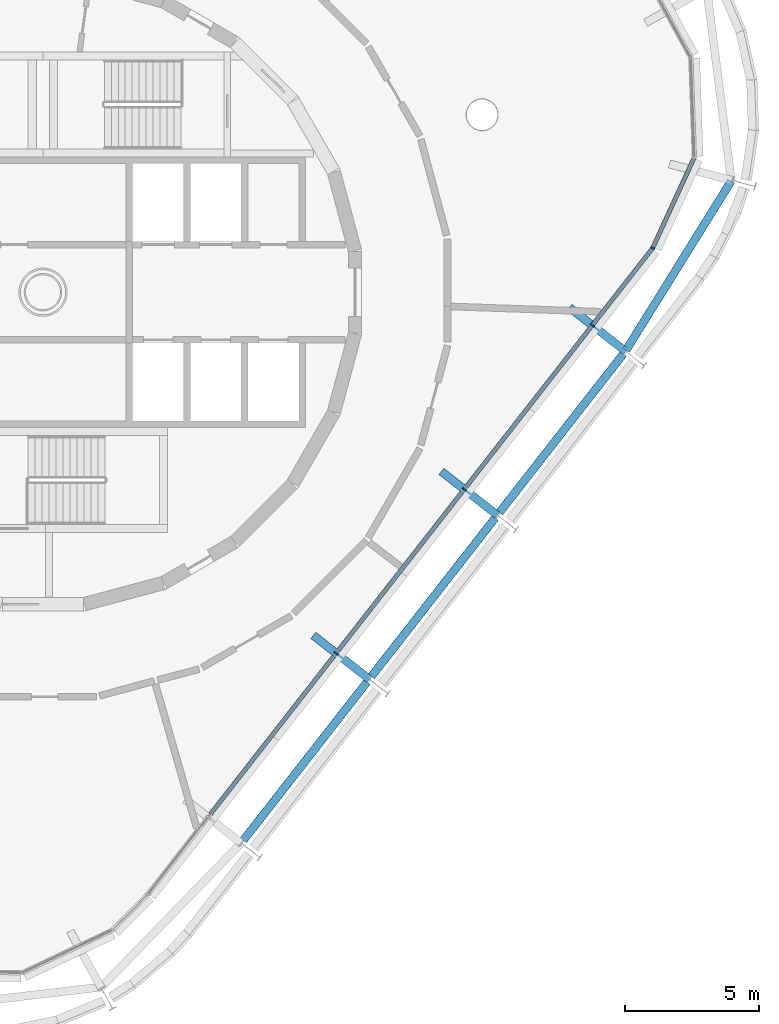
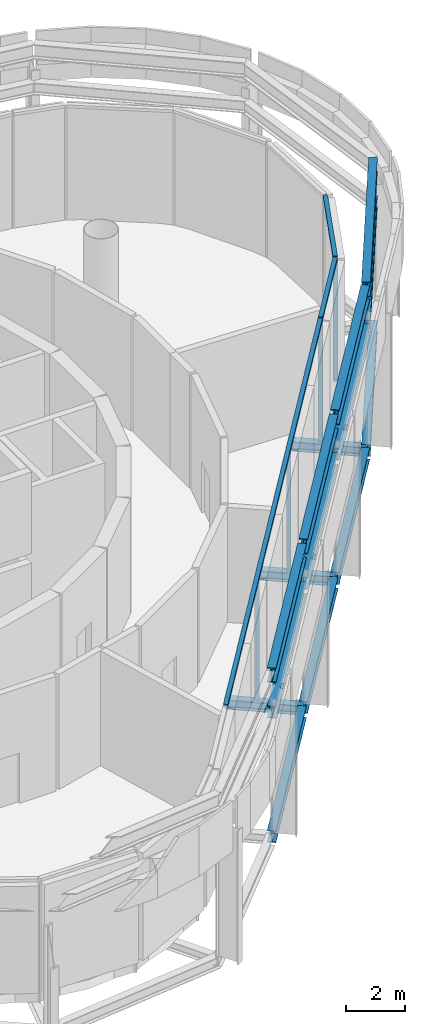
# One storey, part 4 of 15: 15 beams, 7 members, 2 elements without a shape of their own.
"""IFC4 building model written with IfcOpenShell, lengths in metres."""

from ifc_helpers import new_model, si_unit, direction, frame, origin, origin_2d, place, context, subcontext, project, spatial, rectangle, i_section, extrude, material, layer, layer_set, material_profile, profile_set, type_object, element, aggregate, save


model = new_model("IFC4")

# Units and contexts
model_context = context("Model", 3, precision=1e-05, world=origin(), true_north=direction((0.0, 1.0)))
body_context = subcontext(model_context, "Body", "Model", "MODEL_VIEW")
ifc_project = project(units=[si_unit("LENGTHUNIT", "METRE"), si_unit("AREAUNIT", "SQUARE_METRE"), si_unit("VOLUMEUNIT", "CUBIC_METRE"), si_unit("PLANEANGLEUNIT", "RADIAN"), si_unit("MASSUNIT", "GRAM", prefix="KILO")], contexts=[model_context])

# Site, building, storey
site_placement = place(None, origin())
site = spatial("IfcSite", under=ifc_project, at=site_placement, CompositionType="ELEMENT")
building_placement = place(site_placement, origin())
building = spatial("IfcBuilding", under=site, at=building_placement, Name="Spindle Arch Residences", CompositionType="ELEMENT")
storey_placement = place(building_placement, frame((0.0, 0.0, 366.199951171875)))
storey = spatial("IfcBuildingStorey", under=building, at=storey_placement, Name="L94", CompositionType="ELEMENT", Elevation=366.199951171875)

# Curtain wall, members
ifc_material_1 = material(Name="Aluminium bronze unitised frame with tinted glass", Category="aluminium")
ifc_layer = layer(ifc_material_1, 0.159912109375)
ifc_layer_set = layer_set([ifc_layer], Name="CW-F crown plant glazed wall")
curtain_wall_type = type_object("IfcCurtainWallType", Name="CW-F crown plant glazed wall", PredefinedType="NOTDEFINED", material=ifc_layer_set)
curtain_wall_1_placement = place(storey_placement, origin())
curtain_wall_1 = element("IfcCurtainWall", 1, at=curtain_wall_1_placement, inside=storey, type_object=curtain_wall_type, Name="CW-F L94 run 1", PredefinedType="NOTDEFINED")
ifc_material_2 = material(Name="Aluminium bronze anodised mullion", Category="aluminium")
ifc_material_profile_1 = material_profile(ifc_material_2, rectangle(XDim=0.159912109375, YDim=0.06005859375, at=origin_2d()), Name="MU 60x160")
ifc_profile_set_1 = profile_set([ifc_material_profile_1], Name="Aluminium bronze anodised mullion")
member_type_1 = type_object("IfcMemberType", Name="Bronze mullion 60x160", PredefinedType="MULLION", material=ifc_profile_set_1)
member_1_placement = place(storey_placement, frame((20.50341796875, -1.237060546875, -0.3798828125), z_axis=(0.0, 0.0, 1.0), x_axis=(-0.788010753607, 0.615661475326, 0.0)))
member_1 = element("IfcMember", 2, at=member_1_placement, type_object=member_type_1, Name="CW-F mullion 00", PredefinedType="MULLION", context=body_context, shape_type="SweptSolid", body=[
    extrude(rectangle(XDim=0.159912109375, YDim=0.06005859375, at=origin_2d()), origin(), (0.0, 0.0, 1.0), 5.059814453125),
])
member_2_placement = place(storey_placement, frame((22.7568359375, 1.647216796875, -0.3798828125), z_axis=(0.0, 0.0, 1.0), x_axis=(-0.908751129947, 0.417338452362, 0.0)))
member_2 = element("IfcMember", 3, at=member_2_placement, type_object=member_type_1, Name="CW-F mullion 01", PredefinedType="MULLION", context=body_context, shape_type="SweptSolid", body=[
    extrude(rectangle(XDim=0.159912109375, YDim=0.06005859375, at=origin_2d()), origin(), (0.0, 0.0, 1.0), 5.059814453125),
])

curtain_wall_2_placement = place(storey_placement, origin())
curtain_wall_2 = element("IfcCurtainWall", 4, at=curtain_wall_2_placement, inside=storey, type_object=curtain_wall_type, Name="CW-F L94 run 6", PredefinedType="NOTDEFINED")
member_3_placement = place(storey_placement, frame((10.94140625, -13.4755859375, -0.3798828125), z_axis=(0.0, 0.0, 1.0), x_axis=(-0.788010753607, 0.615661475326, 0.0)))
member_3 = element("IfcMember", 5, at=member_3_placement, type_object=member_type_1, Name="CW-F mullion 19", PredefinedType="MULLION", context=body_context, shape_type="SweptSolid", body=[
    extrude(rectangle(XDim=0.159912109375, YDim=0.06005859375, at=origin_2d()), origin(), (0.0, 0.0, 1.0), 5.059814453125),
])
member_4_placement = place(storey_placement, frame((15.722412109375, -7.3564453125, -0.3798828125), z_axis=(0.0, 0.0, 1.0), x_axis=(-0.788010753607, 0.615661475326, 0.0)))
member_4 = element("IfcMember", 6, at=member_4_placement, type_object=member_type_1, Name="CW-F mullion 00", PredefinedType="MULLION", context=body_context, shape_type="SweptSolid", body=[
    extrude(rectangle(XDim=0.159912109375, YDim=0.06005859375, at=origin_2d()), origin(), (0.0, 0.0, 1.0), 5.059814453125),
])

# Member
ifc_material_3 = material(Name="Aluminium bronze anodised transom", Category="aluminium")
ifc_material_profile_2 = material_profile(ifc_material_3, rectangle(XDim=0.159912109375, YDim=0.1201171875, at=origin_2d()), Name="TR 120x160")
ifc_profile_set_2 = profile_set([ifc_material_profile_2], Name="Aluminium bronze anodised transom")
member_type_2 = type_object("IfcMemberType", Name="Bronze transom 120x160", PredefinedType="USERDEFINED", material=ifc_profile_set_2)
member_5_placement = place(storey_placement, frame((20.521728515625, -1.21337890625, 4.739990234375), z_axis=(0.615647989673, 0.788021289568, 0.0), x_axis=(-0.788021289568, 0.615647989673, 0.0)))
member_5 = element("IfcMember", 7, at=member_5_placement, type_object=member_type_2, Name="CW-F transom 00", ObjectType="TRANSOM", PredefinedType="USERDEFINED", context=body_context, shape_type="SweptSolid", body=[
    extrude(rectangle(XDim=0.159912109375, YDim=0.1201171875, at=origin_2d()), origin(), (0.0, 0.0, 1.0), 3.600341796875),
])

member_6_placement = place(storey_placement, frame((22.769287109375, 1.674560546875, 4.739990234375), z_axis=(0.417326323855, 0.908756699792, 0.0), x_axis=(-0.908756699792, 0.417326323855, 0.0)))
member_6 = element("IfcMember", 8, at=member_6_placement, type_object=member_type_2, Name="CW-F transom 01", ObjectType="TRANSOM", PredefinedType="USERDEFINED", context=body_context, shape_type="SweptSolid", body=[
    extrude(rectangle(XDim=0.159912109375, YDim=0.1201171875, at=origin_2d()), origin(), (0.0, 0.0, 1.0), 3.666748046875),
])

aggregate(curtain_wall_1, [member_1, member_5, member_2, member_6])

member_7_placement = place(storey_placement, frame((6.178955078125, -19.571533203125, 4.739990234375), z_axis=(0.615655051857, 0.788015772128, 0.0), x_axis=(-0.788015772128, 0.615655051857, 0.0)))
member_7 = element("IfcMember", 9, at=member_7_placement, type_object=member_type_2, Name="CW-F transom 00", ObjectType="TRANSOM", PredefinedType="USERDEFINED", context=body_context, shape_type="SweptSolid", body=[
    extrude(rectangle(XDim=0.159912109375, YDim=0.1201171875, at=origin_2d()), origin(), (0.0, 0.0, 1.0), 23.23681640625),
])

aggregate(curtain_wall_2, [member_7, member_3, member_4])

# Beams
ifc_material_4 = material(Name="Steel S460ML, intumescent coating R 120", Category="steel")
ifc_material_profile_3 = material_profile(ifc_material_4, i_section(OverallWidth=0.304931640625, OverallDepth=0.6201171875, WebThickness=0.02099609375, FlangeThickness=0.0400390625, FilletRadius=0.027099609375, at=origin_2d()), Name="HEM 600")
ifc_profile_set_3 = profile_set([ifc_material_profile_3], Name="Steel S460ML, intumescent coating R 120")
beam_type_1 = type_object("IfcBeamType", Name="Crown ring beam HEM 600", PredefinedType="BEAM", material=ifc_profile_set_3)
beam_1_placement = place(storey_placement, frame((17.03955078125, -8.220458984375, 6.090087890625), z_axis=(0.615652879069, 0.788017469663, 0.0), x_axis=(-0.788017469663, 0.615652879069, 0.0)))
element("IfcBeam", 10, at=beam_1_placement, inside=storey, type_object=beam_type_1, Name="Crown ring beam L94 1", PredefinedType="BEAM", context=body_context, shape_type="SweptSolid", body=[
    extrude(i_section(OverallWidth=0.304931640625, OverallDepth=0.6201171875, WebThickness=0.02099609375, FlangeThickness=0.0400390625, FilletRadius=0.027099609375, at=origin_2d()), origin(), (0.0, 0.0, 1.0), 7.505615234375),
])
beam_2_placement = place(storey_placement, frame((21.760498046875, -2.17041015625, 6.090087890625), z_axis=(0.527890607505, 0.849312372751, 0.0), x_axis=(-0.849312372751, 0.527890607505, 0.0)))
element("IfcBeam", 11, at=beam_2_placement, inside=storey, type_object=beam_type_1, Name="Crown ring beam L94 2", PredefinedType="BEAM", context=body_context, shape_type="SweptSolid", body=[
    extrude(i_section(OverallWidth=0.304931640625, OverallDepth=0.6201171875, WebThickness=0.02099609375, FlangeThickness=0.0400390625, FilletRadius=0.027099609375, at=origin_2d()), origin(), (0.0, 0.0, 1.0), 7.437744140625),
])
for number, where, z_axis, x_axis, name in (
    (12, (7.4775390625, -20.459228515625, 6.090087890625), (0.615673077274, 0.788001689034, 0.0), (-0.788001689034, 0.615673077274, 0.0), "Crown ring beam L94 19"),
    (13, (12.258544921875, -14.33984375, 6.090087890625), (0.615673077274, 0.788001689034, 0.0), (-0.788001689034, 0.615673077274, 0.0), "Crown ring beam L94 20"),
):
    element("IfcBeam", number, at=place(storey_placement, frame(where, z_axis=z_axis, x_axis=x_axis)), inside=storey, type_object=beam_type_1, Name=name, PredefinedType="BEAM", context=body_context, shape_type="SweptSolid", body=[
        extrude(i_section(OverallWidth=0.304931640625, OverallDepth=0.6201171875, WebThickness=0.02099609375, FlangeThickness=0.0400390625, FilletRadius=0.027099609375, at=origin_2d()), origin(), (0.0, 0.0, 1.0), 7.505859375),
    ])
ifc_material_5 = material(Name="Steel S460ML, intumescent coating R 120", Category="steel")
ifc_material_profile_4 = material_profile(ifc_material_5, i_section(OverallWidth=0.300048828125, OverallDepth=0.5, WebThickness=0.014404296875, FlangeThickness=0.028076171875, FilletRadius=0.027099609375, at=origin_2d()), Name="HEB 500")
ifc_profile_set_4 = profile_set([ifc_material_profile_4], Name="Steel S460ML, intumescent coating R 120")
beam_type_2 = type_object("IfcBeamType", Name="Exoskeleton edge beam HEB 500", PredefinedType="BEAM", material=ifc_profile_set_4)
beam_3_placement = place(storey_placement, frame((17.03955078125, -8.220458984375, -0.6298828125), z_axis=(0.615652879069, 0.788017469663, 0.0), x_axis=(-0.788017469663, 0.615652879069, 0.0)))
element("IfcBeam", 14, at=beam_3_placement, inside=storey, type_object=beam_type_2, Name="Exoskeleton edge beam 1", PredefinedType="BEAM", context=body_context, shape_type="SweptSolid", body=[
    extrude(i_section(OverallWidth=0.300048828125, OverallDepth=0.5, WebThickness=0.014404296875, FlangeThickness=0.028076171875, FilletRadius=0.027099609375, at=origin_2d()), origin(), (0.0, 0.0, 1.0), 7.505615234375),
])
beam_4_placement = place(storey_placement, frame((21.760498046875, -2.17041015625, -0.6298828125), z_axis=(0.527890607505, 0.849312372751, 0.0), x_axis=(-0.849312372751, 0.527890607505, 0.0)))
element("IfcBeam", 15, at=beam_4_placement, inside=storey, type_object=beam_type_2, Name="Exoskeleton edge beam 2", PredefinedType="BEAM", context=body_context, shape_type="SweptSolid", body=[
    extrude(i_section(OverallWidth=0.300048828125, OverallDepth=0.5, WebThickness=0.014404296875, FlangeThickness=0.028076171875, FilletRadius=0.027099609375, at=origin_2d()), origin(), (0.0, 0.0, 1.0), 7.437744140625),
])
for number, where, z_axis, x_axis, name in (
    (16, (7.4775390625, -20.459228515625, -0.6298828125), (0.615673077274, 0.788001689034, 0.0), (-0.788001689034, 0.615673077274, 0.0), "Exoskeleton edge beam 19"),
    (17, (12.258544921875, -14.33984375, -0.6298828125), (0.615673077274, 0.788001689034, 0.0), (-0.788001689034, 0.615673077274, 0.0), "Exoskeleton edge beam 20"),
):
    element("IfcBeam", number, at=place(storey_placement, frame(where, z_axis=z_axis, x_axis=x_axis)), inside=storey, type_object=beam_type_2, Name=name, PredefinedType="BEAM", context=body_context, shape_type="SweptSolid", body=[
        extrude(i_section(OverallWidth=0.300048828125, OverallDepth=0.5, WebThickness=0.014404296875, FlangeThickness=0.028076171875, FilletRadius=0.027099609375, at=origin_2d()), origin(), (0.0, 0.0, 1.0), 7.505859375),
    ])
beam_5_placement = place(storey_placement, frame((17.03955078125, -8.220458984375, 4.550048828125), z_axis=(0.615652879069, 0.788017469663, 0.0), x_axis=(-0.788017469663, 0.615652879069, 0.0)))
element("IfcBeam", 18, at=beam_5_placement, inside=storey, type_object=beam_type_2, Name="Exoskeleton edge beam L94 1", PredefinedType="BEAM", context=body_context, shape_type="SweptSolid", body=[
    extrude(i_section(OverallWidth=0.300048828125, OverallDepth=0.5, WebThickness=0.014404296875, FlangeThickness=0.028076171875, FilletRadius=0.027099609375, at=origin_2d()), origin(), (0.0, 0.0, 1.0), 7.505615234375),
])
beam_6_placement = place(storey_placement, frame((21.760498046875, -2.17041015625, 4.550048828125), z_axis=(0.527890607505, 0.849312372751, 0.0), x_axis=(-0.849312372751, 0.527890607505, 0.0)))
element("IfcBeam", 19, at=beam_6_placement, inside=storey, type_object=beam_type_2, Name="Exoskeleton edge beam L94 2", PredefinedType="BEAM", context=body_context, shape_type="SweptSolid", body=[
    extrude(i_section(OverallWidth=0.300048828125, OverallDepth=0.5, WebThickness=0.014404296875, FlangeThickness=0.028076171875, FilletRadius=0.027099609375, at=origin_2d()), origin(), (0.0, 0.0, 1.0), 7.437744140625),
])
for number, where, z_axis, x_axis, name in (
    (20, (7.4775390625, -20.459228515625, 4.550048828125), (0.615673077274, 0.788001689034, 0.0), (-0.788001689034, 0.615673077274, 0.0), "Exoskeleton edge beam L94 19"),
    (21, (12.258544921875, -14.33984375, 4.550048828125), (0.615673077274, 0.788001689034, 0.0), (-0.788001689034, 0.615673077274, 0.0), "Exoskeleton edge beam L94 20"),
):
    element("IfcBeam", number, at=place(storey_placement, frame(where, z_axis=z_axis, x_axis=x_axis)), inside=storey, type_object=beam_type_2, Name=name, PredefinedType="BEAM", context=body_context, shape_type="SweptSolid", body=[
        extrude(i_section(OverallWidth=0.300048828125, OverallDepth=0.5, WebThickness=0.014404296875, FlangeThickness=0.028076171875, FilletRadius=0.027099609375, at=origin_2d()), origin(), (0.0, 0.0, 1.0), 7.505859375),
    ])
ifc_material_6 = material(Name="Steel S460ML, intumescent coating R 120", Category="steel")
ifc_material_profile_5 = material_profile(ifc_material_6, i_section(OverallWidth=0.300048828125, OverallDepth=0.389892578125, WebThickness=0.010986328125, FlangeThickness=0.01904296875, FilletRadius=0.027099609375, at=origin_2d()), Name="HEA 400")
ifc_profile_set_5 = profile_set([ifc_material_profile_5], Name="Steel S460ML, intumescent coating R 120")
beam_type_3 = type_object("IfcBeamType", Name="Floor outrigger HEA 400", PredefinedType="BEAM", material=ifc_profile_set_5)
beam_7_placement = place(storey_placement, frame((16.959716796875, -8.322998046875, -0.574951171875), z_axis=(-0.788015993799, 0.615654768127, 0.0), x_axis=(-0.615654768127, -0.788015993799, 0.0)))
element("IfcBeam", 22, at=beam_7_placement, inside=storey, type_object=beam_type_3, Name="Floor outrigger 1", PredefinedType="BEAM", context=body_context, shape_type="SweptSolid", body=[
    extrude(i_section(OverallWidth=0.300048828125, OverallDepth=0.389892578125, WebThickness=0.010986328125, FlangeThickness=0.01904296875, FilletRadius=0.027099609375, at=origin_2d()), origin(), (0.0, 0.0, 1.0), 2.650146484375),
])
beam_8_placement = place(storey_placement, frame((21.740478515625, -2.20361328125, -0.574951171875), z_axis=(-0.787981072726, 0.615699463233, 0.0), x_axis=(-0.615699463233, -0.787981072726, 0.0)))
element("IfcBeam", 23, at=beam_8_placement, inside=storey, type_object=beam_type_3, Name="Floor outrigger 2", PredefinedType="BEAM", context=body_context, shape_type="SweptSolid", body=[
    extrude(i_section(OverallWidth=0.300048828125, OverallDepth=0.389892578125, WebThickness=0.010986328125, FlangeThickness=0.01904296875, FilletRadius=0.027099609375, at=origin_2d()), origin(), (0.0, 0.0, 1.0), 2.64990234375),
])
beam_9_placement = place(storey_placement, frame((12.1787109375, -14.4423828125, -0.574951171875), z_axis=(-0.788015993799, 0.615654768127, 0.0), x_axis=(-0.615654768127, -0.788015993799, 0.0)))
element("IfcBeam", 24, at=beam_9_placement, inside=storey, type_object=beam_type_3, Name="Floor outrigger 20", PredefinedType="BEAM", context=body_context, shape_type="SweptSolid", body=[
    extrude(i_section(OverallWidth=0.300048828125, OverallDepth=0.389892578125, WebThickness=0.010986328125, FlangeThickness=0.01904296875, FilletRadius=0.027099609375, at=origin_2d()), origin(), (0.0, 0.0, 1.0), 2.650146484375),
])

save(model, "model.ifc")
